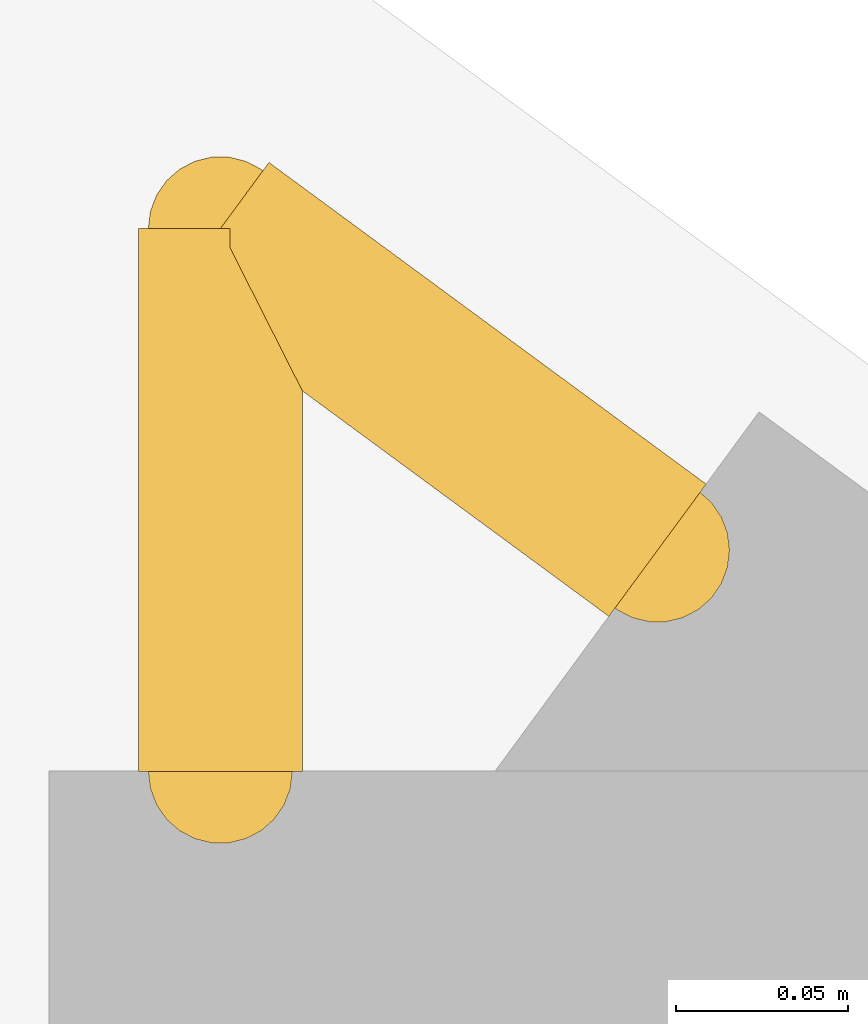
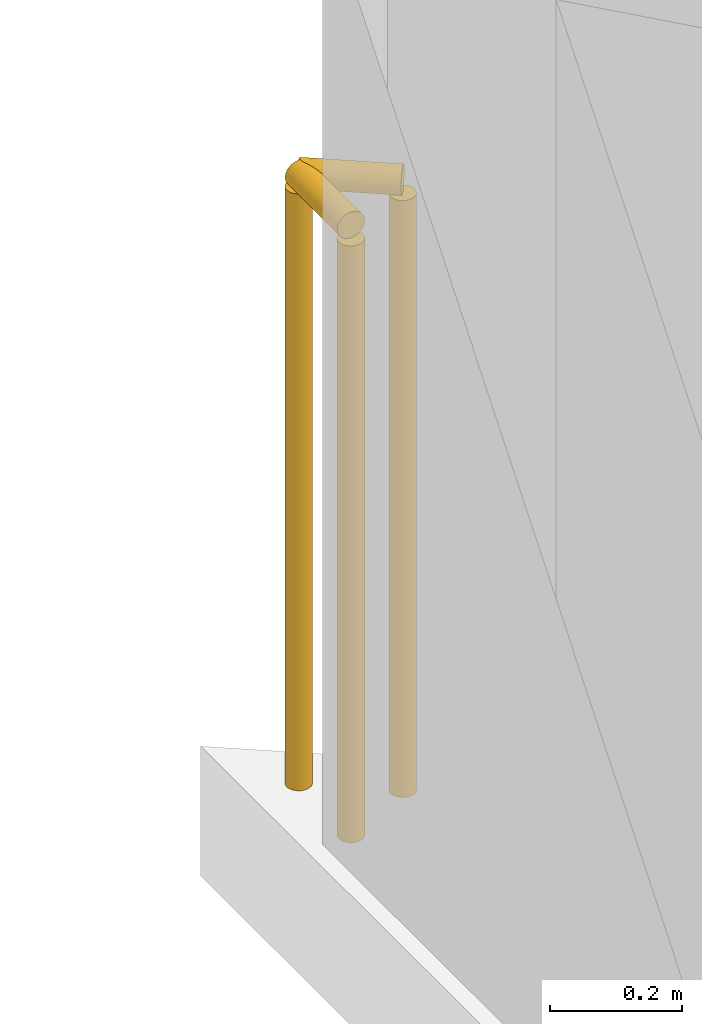
# One storey, part 16 of 16: 2 railings.
"""IFC4 building model written with IfcOpenShell, lengths in metres."""

from ifc_helpers import new_model, si_unit, direction, frame, origin, origin_2d, place, context, subcontext, project, spatial, circle, extrude, material, type_object, element, save


model = new_model("IFC4")

# Units and contexts
model_context = context("Model", 3, precision=1e-05, world=origin(), true_north=direction((0.0, 1.0)))
body_context = subcontext(model_context, "Body", "Model", "MODEL_VIEW")
ifc_project = project(units=[si_unit("LENGTHUNIT", "METRE"), si_unit("AREAUNIT", "SQUARE_METRE"), si_unit("VOLUMEUNIT", "CUBIC_METRE"), si_unit("PLANEANGLEUNIT", "RADIAN"), si_unit("MASSUNIT", "GRAM", prefix="KILO")], contexts=[model_context])

# Site, building, storey
site_placement = place(None, origin())
site = spatial("IfcSite", under=ifc_project, at=site_placement, CompositionType="ELEMENT")
building_placement = place(site_placement, origin())
building = spatial("IfcBuilding", under=site, at=building_placement, Name="Varnakote Quay Hospital", CompositionType="ELEMENT")
storey_placement = place(building_placement, frame((0.0, 0.0, 288.14990234375)))
storey = spatial("IfcBuildingStorey", under=building, at=storey_placement, Name="L71", CompositionType="ELEMENT", Elevation=288.14990234375)

# Railings
ifc_material = material(Name="Anodised aluminium 6063-T6 Bronze", Category="aluminium")
railing_type = type_object("IfcRailingType", Name="RLG-EXT-GUARD-1150", PredefinedType="GUARDRAIL", material=ifc_material)
railing_1_placement = place(storey_placement, frame((2.3798828125, 39.8837890625, 0.0)))
element("IfcRailing", 1, at=railing_1_placement, inside=storey, type_object=railing_type, Name="L71 Slab Edge Perimeter Safety Guard", PredefinedType="GUARDRAIL", context=body_context, shape_type="SweptSolid", body=[
    extrude(circle(Radius=0.02392578125, at=origin_2d()), frame((0.0, 0.0, 1.1259765625), z_axis=(0.0, 1.0, 0.0), x_axis=(-1.0, 0.0, 0.0)), (0.0, 0.0, 1.0), 0.158203125),
    extrude(circle(Radius=0.02099609375, at=origin_2d()), origin(), (0.0, 0.0, 1.0), 1.101806640625),
    extrude(circle(Radius=0.02099609375, at=origin_2d()), frame((0.0, 0.158203125, 0.0)), (0.0, 0.0, 1.0), 1.101806640625),
])
railing_2_placement = place(storey_placement, frame((2.3798828125, 40.0419921875, 0.0)))
element("IfcRailing", 2, at=railing_2_placement, inside=storey, type_object=railing_type, Name="L71 Slab Edge Perimeter Safety Guard", PredefinedType="GUARDRAIL", context=body_context, shape_type="SweptSolid", body=[
    extrude(circle(Radius=0.02392578125, at=origin_2d()), frame((0.0, 0.0, 1.1259765625), z_axis=(0.805521026073, -0.592567191594, 0.0), x_axis=(0.592567191594, 0.805521026073, 0.0)), (0.0, 0.0, 1.0), 0.158203125),
    extrude(circle(Radius=0.02099609375, at=origin_2d()), origin(), (0.0, 0.0, 1.0), 1.101806640625),
    extrude(circle(Radius=0.02099609375, at=origin_2d()), frame((0.12744140625, -0.09375, 0.0)), (0.0, 0.0, 1.0), 1.101806640625),
])

save(model, "model.ifc")
